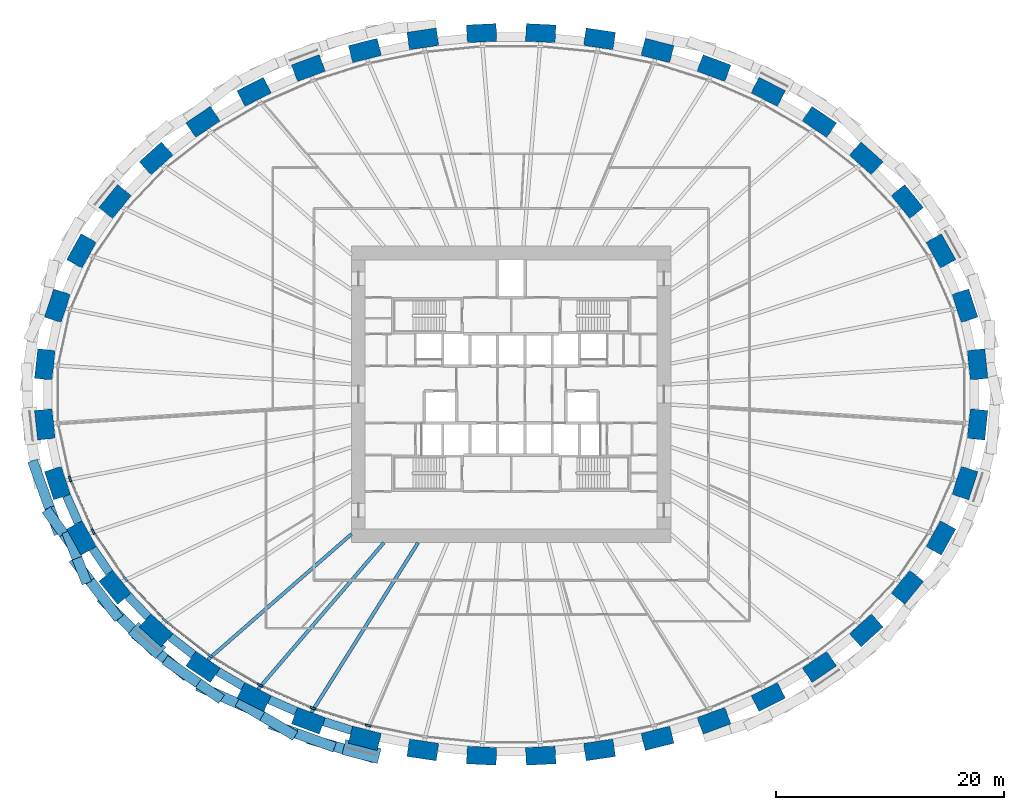
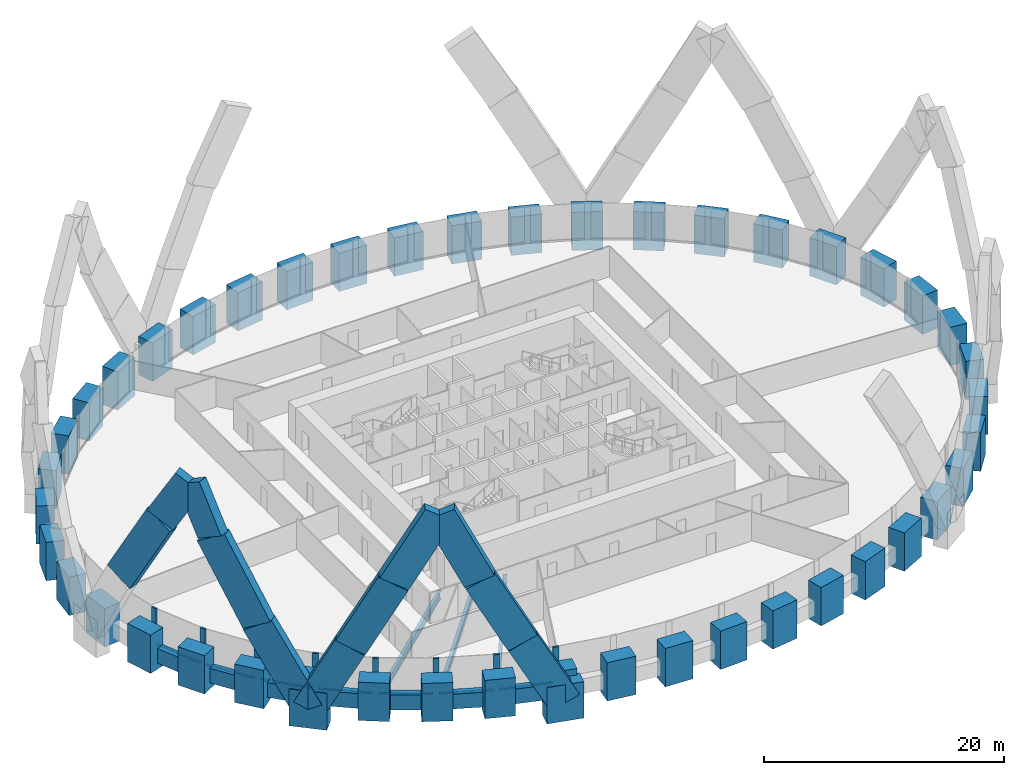
# One storey, part 1 of 12: 44 columns, 28 members, 10 beams, 1 element without a shape of its own.
"""IFC4 building model written with IfcOpenShell, lengths in metres."""

from ifc_helpers import new_model, si_unit, direction, frame, origin, origin_2d, place, context, subcontext, project, spatial, rectangle, i_section, extrude, source, transform, mapped, material, material_profile, profile_set, type_object, element, aggregate, save


model = new_model("IFC4")

# Units and contexts
model_context = context("Model", 3, precision=1e-05, world=origin(), true_north=direction((0.0, 1.0)))
body_context = subcontext(model_context, "Body", "Model", "MODEL_VIEW")
ifc_project = project(units=[si_unit("LENGTHUNIT", "METRE"), si_unit("AREAUNIT", "SQUARE_METRE"), si_unit("VOLUMEUNIT", "CUBIC_METRE"), si_unit("PLANEANGLEUNIT", "RADIAN"), si_unit("MASSUNIT", "GRAM", prefix="KILO")], contexts=[model_context])

# Site, building, storey
site_placement = place(None, origin())
site = spatial("IfcSite", under=ifc_project, at=site_placement, CompositionType="ELEMENT")
building_placement = place(site_placement, origin())
building = spatial("IfcBuilding", under=site, at=building_placement, Name="Embergate Tower", CompositionType="ELEMENT")
storey_placement = place(building_placement, frame((0.0, 0.0, 85.39990234375)))
storey = spatial("IfcBuildingStorey", under=building, at=storey_placement, Name="L17", CompositionType="ELEMENT", Elevation=85.39990234375)

# Columns
ifc_material_1 = material(Name="Concrete C70", Category="concrete")
ifc_material_profile_1 = material_profile(ifc_material_1, rectangle(XDim=1.550048828125, YDim=2.60009765625, at=origin_2d()), Name="RC 1550x2600")
ifc_profile_set_1 = profile_set([ifc_material_profile_1], Name="Concrete C70")
column_type = type_object("IfcColumnType", Name="Ring column RC 1550x2600 C70", PredefinedType="COLUMN", material=ifc_profile_set_1)
shared_shape_1 = source(origin(), body_context, "Body", "SweptSolid", [
    extrude(rectangle(XDim=1.550048828125, YDim=2.60009765625, at=origin_2d()), origin(), (0.0, 0.0, 1.0), 3.89990234375),
])
for number, where, z_axis, x_axis, name in (
    (1, (40.89404296875, 2.632080078125, -1.39990234375), (0.0, 0.0, 1.0), (0.99428589498, 0.106749983816, 0.0), "COL-L17-00"),
    (2, (39.7880859375, 7.77294921875, -1.39990234375), (0.0, 0.0, 1.0), (0.950754033697, 0.309946394413, 0.0), "COL-L17-01"),
    (3, (37.679931640625, 12.580078125, -1.39990234375), (0.0, 0.0, 1.0), (0.873491969053, 0.486838556403, 0.0), "COL-L17-02"),
    (4, (34.736083984375, 16.909912109375, -1.39990234375), (0.0, 0.0, 1.0), (0.775914301615, 0.630838328377, 0.0), "COL-L17-03"),
    (5, (31.132080078125, 20.68896484375, -1.39990234375), (0.0, 0.0, 1.0), (0.669208424634, 0.74307475021, 0.0), "COL-L17-04"),
    (6, (27.02392578125, 23.89501953125, -1.39990234375), (0.0, 0.0, 1.0), (0.560393279442, 0.828226643109, 0.0), "COL-L17-05"),
    (7, (22.541015625, 26.531005859375, -1.39990234375), (0.0, 0.0, 1.0), (0.452994952881, 0.891513080478, 0.0), "COL-L17-06"),
    (8, (17.782958984375, 28.612060546875, -1.39990234375), (0.0, 0.0, 1.0), (0.348343015724, 0.93736713373, 0.0), "COL-L17-07"),
    (9, (12.830078125, 30.154052734375, -1.39990234375), (0.0, 0.0, 1.0), (0.246491603437, 0.969144926951, 0.0), "COL-L17-08"),
    (10, (7.7470703125, 31.174072265625, -1.39990234375), (0.0, 0.0, 1.0), (0.146929011949, 0.989147039346, 0.0), "COL-L17-09"),
    (11, (2.591064453125, 31.680908203125, -1.39990234375), (0.0, 0.0, 1.0), (0.048814904854, 0.998807841912, 0.0), "COL-L17-10"),
    (12, (-2.591064453125, 31.680908203125, -1.39990234375), (0.0, 0.0, 1.0), (-0.048814904854, 0.998807841912, 0.0), "COL-L17-11"),
    (13, (-7.7470703125, 31.174072265625, -1.39990234375), (0.0, 0.0, 1.0), (-0.146929011949, 0.989147039346, 0.0), "COL-L17-12"),
    (14, (-12.830078125, 30.154052734375, -1.39990234375), (0.0, 0.0, 1.0), (-0.246491603437, 0.969144926951, 0.0), "COL-L17-13"),
    (15, (-17.782958984375, 28.612060546875, -1.39990234375), (0.0, 0.0, 1.0), (-0.348343015724, 0.93736713373, 0.0), "COL-L17-14"),
    (16, (-22.541015625, 26.531005859375, -1.39990234375), (0.0, 0.0, 1.0), (-0.452994952881, 0.891513080478, 0.0), "COL-L17-15"),
    (17, (-27.02392578125, 23.89501953125, -1.39990234375), (0.0, 0.0, 1.0), (-0.560393279442, 0.828226643109, 0.0), "COL-L17-16"),
    (18, (-31.132080078125, 20.68896484375, -1.39990234375), (0.0, 0.0, 1.0), (-0.669208424634, 0.74307475021, 0.0), "COL-L17-17"),
    (19, (-34.736083984375, 16.909912109375, -1.39990234375), (0.0, 0.0, 1.0), (-0.775914301615, 0.630838328377, 0.0), "COL-L17-18"),
    (20, (-37.679931640625, 12.580078125, -1.39990234375), (0.0, 0.0, 1.0), (-0.873491969053, 0.486838556403, 0.0), "COL-L17-19"),
    (21, (-39.7880859375, 7.77294921875, -1.39990234375), (0.0, 0.0, 1.0), (-0.950754033697, 0.309946394413, 0.0), "COL-L17-20"),
    (22, (-40.89404296875, 2.632080078125, -1.39990234375), (0.0, 0.0, 1.0), (-0.99428589498, 0.106749983816, 0.0), "COL-L17-21"),
    (23, (-40.89404296875, -2.632080078125, -1.39990234375), (0.0, 0.0, 1.0), (-0.99428589498, -0.106749983816, 0.0), "COL-L17-22"),
    (24, (-39.7880859375, -7.77294921875, -1.39990234375), (0.0, 0.0, 1.0), (-0.950754033697, -0.309946394413, 0.0), "COL-L17-23"),
    (25, (-37.679931640625, -12.580078125, -1.39990234375), (0.0, 0.0, 1.0), (-0.873491969053, -0.486838556403, 0.0), "COL-L17-24"),
    (26, (-34.736083984375, -16.909912109375, -1.39990234375), (0.0, 0.0, 1.0), (-0.775914301615, -0.630838328377, 0.0), "COL-L17-25"),
    (27, (-31.132080078125, -20.68896484375, -1.39990234375), (0.0, 0.0, 1.0), (-0.669208424634, -0.74307475021, 0.0), "COL-L17-26"),
    (28, (-27.02392578125, -23.89501953125, -1.39990234375), (0.0, 0.0, 1.0), (-0.560393279442, -0.828226643109, 0.0), "COL-L17-27"),
    (29, (-22.541015625, -26.531005859375, -1.39990234375), (0.0, 0.0, 1.0), (-0.452994952881, -0.891513080478, 0.0), "COL-L17-28"),
    (30, (-17.782958984375, -28.612060546875, -1.39990234375), (0.0, 0.0, 1.0), (-0.348343015724, -0.93736713373, 0.0), "COL-L17-29"),
    (31, (-12.830078125, -30.154052734375, -1.39990234375), (0.0, 0.0, 1.0), (-0.246491603437, -0.969144926951, 0.0), "COL-L17-30"),
    (32, (-7.7470703125, -31.174072265625, -1.39990234375), (0.0, 0.0, 1.0), (-0.146929011949, -0.989147039346, 0.0), "COL-L17-31"),
    (33, (-2.591064453125, -31.680908203125, -1.39990234375), (0.0, 0.0, 1.0), (-0.048814904854, -0.998807841912, 0.0), "COL-L17-32"),
    (34, (2.591064453125, -31.680908203125, -1.39990234375), (0.0, 0.0, 1.0), (0.048814904854, -0.998807841912, 0.0), "COL-L17-33"),
    (35, (7.7470703125, -31.174072265625, -1.39990234375), (0.0, 0.0, 1.0), (0.146929011949, -0.989147039346, 0.0), "COL-L17-34"),
    (36, (12.830078125, -30.154052734375, -1.39990234375), (0.0, 0.0, 1.0), (0.246491603437, -0.969144926951, 0.0), "COL-L17-35"),
    (37, (17.782958984375, -28.612060546875, -1.39990234375), (0.0, 0.0, 1.0), (0.348343015724, -0.93736713373, 0.0), "COL-L17-36"),
    (38, (22.541015625, -26.531005859375, -1.39990234375), (0.0, 0.0, 1.0), (0.452994952881, -0.891513080478, 0.0), "COL-L17-37"),
    (39, (27.02392578125, -23.89501953125, -1.39990234375), (0.0, 0.0, 1.0), (0.560393279442, -0.828226643109, 0.0), "COL-L17-38"),
    (40, (31.132080078125, -20.68896484375, -1.39990234375), (0.0, 0.0, 1.0), (0.669208424634, -0.74307475021, 0.0), "COL-L17-39"),
    (41, (34.736083984375, -16.909912109375, -1.39990234375), (0.0, 0.0, 1.0), (0.775914301615, -0.630838328377, 0.0), "COL-L17-40"),
    (42, (37.679931640625, -12.580078125, -1.39990234375), (0.0, 0.0, 1.0), (0.873491969053, -0.486838556403, 0.0), "COL-L17-41"),
    (43, (39.7880859375, -7.77294921875, -1.39990234375), (0.0, 0.0, 1.0), (0.950754033697, -0.309946394413, 0.0), "COL-L17-42"),
    (44, (40.89404296875, -2.632080078125, -1.39990234375), (0.0, 0.0, 1.0), (0.99428589498, -0.106749983816, 0.0), "COL-L17-43"),
):
    element("IfcColumn", number, at=place(storey_placement, frame(where, z_axis=z_axis, x_axis=x_axis)), inside=storey, type_object=column_type, Name=name, PredefinedType="COLUMN", context=body_context, shape_type="MappedRepresentation", body=[
        mapped(shared_shape_1, transform((0.0, 0.0, 0.0))),
    ])

# Beams
ifc_material_profile_2 = material_profile(ifc_material_1, rectangle(XDim=0.75, YDim=1.5, at=origin_2d()), Name="RC 750x1500")
ifc_profile_set_2 = profile_set([ifc_material_profile_2], Name="Concrete C70")
beam_type_1 = type_object("IfcBeamType", Name="Spandrel beam RC 750x1500 C70", PredefinedType="BEAM", material=ifc_profile_set_2)
shared_shape_2 = source(origin(), body_context, "Body", "SweptSolid", [
    extrude(rectangle(XDim=0.75, YDim=1.5, at=origin_2d()), origin(), (0.0, 0.0, 1.0), 2.583251953125),
])
beam_1_placement = place(storey_placement, frame((-38.9990234375, -8.883056640625, 0.0), z_axis=(0.401468201792, -0.915872962233, 0.0), x_axis=(0.915872962233, 0.401468201792, 0.0)))
element("IfcBeam", 45, at=beam_1_placement, inside=storey, type_object=beam_type_1, Name="SPN-L17-23", PredefinedType="BEAM", context=body_context, shape_type="MappedRepresentation", body=[
    mapped(shared_shape_2, transform((0.0, 0.0, 0.0))),
])
shared_shape_3 = source(origin(), body_context, "Body", "SweptSolid", [
    extrude(rectangle(XDim=0.75, YDim=1.5, at=origin_2d()), origin(), (0.0, 0.0, 1.0), 2.574951171875),
])
beam_2_placement = place(storey_placement, frame((-36.68603515625, -13.513916015625, 0.0), z_axis=(0.562356702599, -0.826894756932, 0.0), x_axis=(0.826894756932, 0.562356702599, 0.0)))
element("IfcBeam", 46, at=beam_2_placement, inside=storey, type_object=beam_type_1, Name="SPN-L17-24", PredefinedType="BEAM", context=body_context, shape_type="MappedRepresentation", body=[
    mapped(shared_shape_3, transform((0.0, 0.0, 0.0))),
])
shared_shape_4 = source(origin(), body_context, "Body", "SweptSolid", [
    extrude(rectangle(XDim=0.75, YDim=1.5, at=origin_2d()), origin(), (0.0, 0.0, 1.0), 2.568115234375),
])
beam_3_placement = place(storey_placement, frame((-33.60400390625, -17.6650390625, 0.0), z_axis=(0.68998268655, -0.723825871506, 0.0), x_axis=(0.723825871506, 0.68998268655, 0.0)))
element("IfcBeam", 47, at=beam_3_placement, inside=storey, type_object=beam_type_1, Name="SPN-L17-25", PredefinedType="BEAM", context=body_context, shape_type="MappedRepresentation", body=[
    mapped(shared_shape_4, transform((0.0, 0.0, 0.0))),
])
shared_shape_5 = source(origin(), body_context, "Body", "SweptSolid", [
    extrude(rectangle(XDim=0.75, YDim=1.5, at=origin_2d()), origin(), (0.0, 0.0, 1.0), 2.560791015625),
])
beam_4_placement = place(storey_placement, frame((-29.89111328125, -21.25390625, 0.0), z_axis=(0.788437573921, -0.615114779557, 0.0), x_axis=(0.615114779557, 0.788437573921, 0.0)))
element("IfcBeam", 48, at=beam_4_placement, inside=storey, type_object=beam_type_1, Name="SPN-L17-26", PredefinedType="BEAM", context=body_context, shape_type="MappedRepresentation", body=[
    mapped(shared_shape_5, transform((0.0, 0.0, 0.0))),
])
shared_shape_6 = source(origin(), body_context, "Body", "SweptSolid", [
    extrude(rectangle(XDim=0.75, YDim=1.5, at=origin_2d()), origin(), (0.0, 0.0, 1.0), 2.55517578125),
])
beam_5_placement = place(storey_placement, frame((-25.721923828125, -24.291015625, 0.0), z_axis=(0.862086455961, -0.506761228241, 0.0), x_axis=(0.506761228241, 0.862086455961, 0.0)))
element("IfcBeam", 49, at=beam_5_placement, inside=storey, type_object=beam_type_1, Name="SPN-L17-27", PredefinedType="BEAM", context=body_context, shape_type="MappedRepresentation", body=[
    mapped(shared_shape_6, transform((0.0, 0.0, 0.0))),
])
shared_shape_7 = source(origin(), body_context, "Body", "SweptSolid", [
    extrude(rectangle(XDim=0.75, YDim=1.5, at=origin_2d()), origin(), (0.0, 0.0, 1.0), 2.552001953125),
])
beam_6_placement = place(storey_placement, frame((-21.202880859375, -26.76806640625, 0.0), z_axis=(0.916139768309, -0.400858983836, 0.0), x_axis=(0.400858983836, 0.916139768309, 0.0)))
element("IfcBeam", 50, at=beam_6_placement, inside=storey, type_object=beam_type_1, Name="SPN-L17-28", PredefinedType="BEAM", context=body_context, shape_type="MappedRepresentation", body=[
    mapped(shared_shape_7, transform((0.0, 0.0, 0.0))),
])
shared_shape_8 = source(origin(), body_context, "Body", "SweptSolid", [
    extrude(rectangle(XDim=0.75, YDim=1.5, at=origin_2d()), origin(), (0.0, 0.0, 1.0), 2.55029296875),
])
beam_7_placement = place(storey_placement, frame((-16.428955078125, -28.699951171875, 0.0), z_axis=(0.954803055826, -0.297239170678, 0.0), x_axis=(0.297239170678, 0.954803055826, 0.0)))
element("IfcBeam", 51, at=beam_7_placement, inside=storey, type_object=beam_type_1, Name="SPN-L17-29", PredefinedType="BEAM", context=body_context, shape_type="MappedRepresentation", body=[
    mapped(shared_shape_8, transform((0.0, 0.0, 0.0))),
])
ifc_material_2 = material(Name="Steel Q355B", Category="steel")
ifc_material_profile_3 = material_profile(ifc_material_2, i_section(OverallWidth=0.300048828125, OverallDepth=0.800048828125, WebThickness=0.013916015625, FlangeThickness=0.02587890625, FilletRadius=0.028076171875, at=origin_2d()), Name="HN 800x300x14x26")
ifc_profile_set_3 = profile_set([ifc_material_profile_3], Name="Steel Q355 grade B")
beam_type_2 = type_object("IfcBeamType", Name="Radial girder HN 800x300x14x26", PredefinedType="BEAM", material=ifc_profile_set_3)
shared_shape_9 = source(origin(), body_context, "Body", "SweptSolid", [
    extrude(i_section(OverallWidth=0.300048828125, OverallDepth=0.800048828125, WebThickness=0.013916015625, FlangeThickness=0.02587890625, FilletRadius=0.028076171875, at=origin_2d()), origin(), (0.0, 0.0, 1.0), 16.72509765625),
])
beam_8_placement = place(storey_placement, frame((-26.590087890625, -23.2529296875, -0.599853515625), z_axis=(0.752763844536, 0.658290660999, 0.0), x_axis=(-0.658290660999, 0.752763844536, 0.0)))
element("IfcBeam", 52, at=beam_8_placement, inside=storey, type_object=beam_type_2, Name="GIR-L17-27", PredefinedType="BEAM", context=body_context, shape_type="MappedRepresentation", body=[
    mapped(shared_shape_9, transform((0.0, 0.0, 0.0))),
])
shared_shape_10 = source(origin(), body_context, "Body", "SweptSolid", [
    extrude(i_section(OverallWidth=0.300048828125, OverallDepth=0.800048828125, WebThickness=0.013916015625, FlangeThickness=0.02587890625, FilletRadius=0.028076171875, at=origin_2d()), origin(), (0.0, 0.0, 1.0), 16.924560546875),
])
beam_9_placement = place(storey_placement, frame((-22.18994140625, -25.840087890625, -0.599853515625), z_axis=(0.651475377488, 0.758669778314, 0.0), x_axis=(-0.758669778314, 0.651475377488, 0.0)))
element("IfcBeam", 53, at=beam_9_placement, inside=storey, type_object=beam_type_2, Name="GIR-L17-28", PredefinedType="BEAM", context=body_context, shape_type="MappedRepresentation", body=[
    mapped(shared_shape_10, transform((0.0, 0.0, 0.0))),
])
shared_shape_11 = source(origin(), body_context, "Body", "SweptSolid", [
    extrude(i_section(OverallWidth=0.300048828125, OverallDepth=0.800048828125, WebThickness=0.013916015625, FlangeThickness=0.02587890625, FilletRadius=0.028076171875, at=origin_2d()), origin(), (0.0, 0.0, 1.0), 17.578125),
])
beam_10_placement = place(storey_placement, frame((-17.512939453125, -27.885986328125, -0.599853515625), z_axis=(0.53184411478, 0.846842274319, 0.0), x_axis=(-0.846842274319, 0.53184411478, 0.0)))
element("IfcBeam", 54, at=beam_10_placement, inside=storey, type_object=beam_type_2, Name="GIR-L17-29", PredefinedType="BEAM", context=body_context, shape_type="MappedRepresentation", body=[
    mapped(shared_shape_11, transform((0.0, 0.0, 0.0))),
])

# Members
ifc_material_profile_4 = material_profile(ifc_material_1, rectangle(XDim=1.35009765625, YDim=3.199951171875, at=origin_2d()), Name="RC 1350x3200")
ifc_profile_set_4 = profile_set([ifc_material_profile_4], Name="Concrete C70")
member_type_1 = type_object("IfcMemberType", Name="Lattice node block RC 1350x3200", PredefinedType="POST", material=ifc_profile_set_4)
shared_shape_12 = source(origin(), body_context, "Body", "SweptSolid", [
    extrude(rectangle(XDim=1.35009765625, YDim=3.199951171875, at=origin_2d()), origin(), (0.0, 0.0, 1.0), 3.699951171875),
])
member_1_placement = place(storey_placement, frame((-13.1259765625, -31.31689453125, -1.849853515625), z_axis=(0.0, 0.0, 1.0), x_axis=(-0.246491603437, -0.969144926951, 0.0)))
element("IfcMember", 55, at=member_1_placement, inside=storey, type_object=member_type_1, Name="NOD-L17-30", PredefinedType="POST", context=body_context, shape_type="MappedRepresentation", body=[
    mapped(shared_shape_12, transform((0.0, 0.0, 0.0))),
])
ifc_material_profile_5 = material_profile(ifc_material_1, rectangle(XDim=1.35009765625, YDim=3.25, at=origin_2d()), Name="RC 1350x3250")
ifc_profile_set_5 = profile_set([ifc_material_profile_5], Name="Concrete C70")
member_type_2 = type_object("IfcMemberType", Name="Lattice node block RC 1350x3250", PredefinedType="POST", material=ifc_profile_set_5)
shared_shape_13 = source(origin(), body_context, "Body", "SweptSolid", [
    extrude(rectangle(XDim=1.35009765625, YDim=3.25, at=origin_2d()), origin(), (0.0, 0.0, 1.0), 3.75),
])
member_2_placement = place(storey_placement, frame((-31.93505859375, -21.5810546875, -1.875), z_axis=(0.0, 0.0, 1.0), x_axis=(-0.669208424634, -0.74307475021, 0.0)))
element("IfcMember", 56, at=member_2_placement, inside=storey, type_object=member_type_2, Name="NOD-L17-26", PredefinedType="POST", context=body_context, shape_type="MappedRepresentation", body=[
    mapped(shared_shape_13, transform((0.0, 0.0, 0.0))),
])
ifc_material_profile_6 = material_profile(ifc_material_1, rectangle(XDim=0.89990234375, YDim=2.800048828125, at=origin_2d()), Name="RC 900x2800")
ifc_profile_set_6 = profile_set([ifc_material_profile_6], Name="Concrete C70")
member_type_3 = type_object("IfcMemberType", Name="Lattice diagonal terracotta-faced RC 900x2800", PredefinedType="BRACE", material=ifc_profile_set_6)
shared_shape_14 = source(origin(), body_context, "Body", "SweptSolid", [
    extrude(rectangle(XDim=0.89990234375, YDim=2.800048828125, at=origin_2d()), origin(), (0.0, 0.0, 1.0), 7.6015625),
])
member_3_placement = place(storey_placement, frame((-29.35791015625, -23.98388671875, 6.7001953125), z_axis=(0.388076715985, -0.269305906111, 0.881402740774), x_axis=(0.570121823423, 0.82156016606, 0.0)))
element("IfcMember", 57, at=member_3_placement, inside=storey, type_object=member_type_3, Name="BRC-L17-26-28-S01", PredefinedType="BRACE", context=body_context, shape_type="MappedRepresentation", body=[
    mapped(shared_shape_14, transform((0.0, 0.0, 0.0))),
])
shared_shape_15 = source(origin(), body_context, "Body", "SweptSolid", [
    extrude(rectangle(XDim=0.89990234375, YDim=2.800048828125, at=origin_2d()), origin(), (0.0, 0.0, 1.0), 8.943115234375),
])
member_4_placement = place(storey_placement, frame((-41.556884765625, -6.969970703125, 7.800048828125), z_axis=(0.166361733124, -0.460019948289, 0.872184281519), x_axis=(0.940394833947, 0.340084631065, 0.0)))
element("IfcMember", 58, at=member_4_placement, inside=storey, type_object=member_type_3, Name="BRC-L17-22-24-S01", PredefinedType="BRACE", context=body_context, shape_type="MappedRepresentation", body=[
    mapped(shared_shape_15, transform((0.0, 0.0, 0.0))),
])
shared_shape_16 = source(origin(), body_context, "Body", "SweptSolid", [
    extrude(rectangle(XDim=0.89990234375, YDim=2.800048828125, at=origin_2d()), origin(), (0.0, 0.0, 1.0), 5.209716796875),
])
member_5_placement = place(storey_placement, frame((-40.069091796875, -11.083984375, 15.60009765625), z_axis=(0.295800761014, -0.407897627355, 0.86378321087), x_axis=(0.809539719599, 0.587065109158, 0.0)))
element("IfcMember", 59, at=member_5_placement, inside=storey, type_object=member_type_3, Name="BRC-L17-22-24-S02", PredefinedType="BRACE", context=body_context, shape_type="MappedRepresentation", body=[
    mapped(shared_shape_16, transform((0.0, 0.0, 0.0))),
])
shared_shape_17 = source(origin(), body_context, "Body", "SweptSolid", [
    extrude(rectangle(XDim=0.89990234375, YDim=2.800048828125, at=origin_2d()), origin(), (0.0, 0.0, 1.0), 8.923583984375),
])
member_6_placement = place(storey_placement, frame((-32.0849609375, -21.748046875, 0.0), z_axis=(-0.34371228725, 0.343247182667, 0.874095667067), x_axis=(-0.706627873948, -0.707585364292, 0.0)))
element("IfcMember", 60, at=member_6_placement, inside=storey, type_object=member_type_3, Name="BRC-L17-26-24-S00", PredefinedType="BRACE", context=body_context, shape_type="MappedRepresentation", body=[
    mapped(shared_shape_17, transform((0.0, 0.0, 0.0))),
])
shared_shape_18 = source(origin(), body_context, "Body", "SweptSolid", [
    extrude(rectangle(XDim=0.89990234375, YDim=2.800048828125, at=origin_2d()), origin(), (0.0, 0.0, 1.0), 8.832763671875),
])
member_7_placement = place(storey_placement, frame((-35.152099609375, -18.68505859375, 7.800048828125), z_axis=(-0.284942107654, 0.372810083232, 0.883074536563), x_axis=(-0.794509957743, -0.607251123545, 0.0)))
element("IfcMember", 61, at=member_7_placement, inside=storey, type_object=member_type_3, Name="BRC-L17-26-24-S01", PredefinedType="BRACE", context=body_context, shape_type="MappedRepresentation", body=[
    mapped(shared_shape_18, transform((0.0, 0.0, 0.0))),
])
shared_shape_19 = source(origin(), body_context, "Body", "SweptSolid", [
    extrude(rectangle(XDim=0.89990234375, YDim=2.800048828125, at=origin_2d()), origin(), (0.0, 0.0, 1.0), 5.074951171875),
])
member_8_placement = place(storey_placement, frame((-37.6689453125, -15.39208984375, 15.60009765625), z_axis=(-0.16929202768, 0.4301816742, 0.886726528613), x_axis=(-0.930536306155, -0.366199649, 0.0)))
element("IfcMember", 62, at=member_8_placement, inside=storey, type_object=member_type_3, Name="BRC-L17-26-24-S02", PredefinedType="BRACE", context=body_context, shape_type="MappedRepresentation", body=[
    mapped(shared_shape_19, transform((0.0, 0.0, 0.0))),
])
shared_shape_20 = source(origin(), body_context, "Body", "SweptSolid", [
    extrude(rectangle(XDim=0.89990234375, YDim=2.800048828125, at=origin_2d()), origin(), (0.0, 0.0, 1.0), 7.571533203125),
])
member_9_placement = place(storey_placement, frame((-32.0849609375, -21.748046875, 0.0), z_axis=(0.360170636428, -0.295294779625, 0.884917005025), x_axis=(0.634021631372, 0.773315311469, 0.0)))
element("IfcMember", 63, at=member_9_placement, inside=storey, type_object=member_type_3, Name="BRC-L17-26-28-S00", PredefinedType="BRACE", context=body_context, shape_type="MappedRepresentation", body=[
    mapped(shared_shape_20, transform((0.0, 0.0, 0.0))),
])
shared_shape_21 = source(origin(), body_context, "Body", "SweptSolid", [
    extrude(rectangle(XDim=0.89990234375, YDim=2.800048828125, at=origin_2d()), origin(), (0.0, 0.0, 1.0), 7.71728515625),
])
member_10_placement = place(storey_placement, frame((-26.407958984375, -26.031005859375, 13.400146484375), z_axis=(0.454291825627, -0.199685933382, 0.868184580131), x_axis=(0.402396757385, 0.915465373264, 0.0)))
element("IfcMember", 64, at=member_10_placement, inside=storey, type_object=member_type_3, Name="BRC-L17-26-28-S02", PredefinedType="BRACE", context=body_context, shape_type="MappedRepresentation", body=[
    mapped(shared_shape_21, transform((0.0, 0.0, 0.0))),
])
shared_shape_22 = source(origin(), body_context, "Body", "SweptSolid", [
    extrude(rectangle(XDim=0.89990234375, YDim=2.800048828125, at=origin_2d()), origin(), (0.0, 0.0, 1.0), 7.61181640625),
])
member_11_placement = place(storey_placement, frame((-13.180908203125, -31.534912109375, 0.0), z_axis=(-0.455476447931, 0.133201442733, 0.880226437364), x_axis=(-0.280687690711, -0.959799156221, 0.0)))
element("IfcMember", 65, at=member_11_placement, inside=storey, type_object=member_type_3, Name="BRC-L17-30-28-S00", PredefinedType="BRACE", context=body_context, shape_type="MappedRepresentation", body=[
    mapped(shared_shape_22, transform((0.0, 0.0, 0.0))),
])
shared_shape_23 = source(origin(), body_context, "Body", "SweptSolid", [
    extrude(rectangle(XDim=0.89990234375, YDim=2.800048828125, at=origin_2d()), origin(), (0.0, 0.0, 1.0), 7.59521484375),
])
member_12_placement = place(storey_placement, frame((-16.64794921875, -30.52099609375, 6.7001953125), z_axis=(-0.442782119241, 0.160623030842, 0.882124841983), x_axis=(-0.341014196409, -0.940058145993, 0.0)))
element("IfcMember", 66, at=member_12_placement, inside=storey, type_object=member_type_3, Name="BRC-L17-30-28-S01", PredefinedType="BRACE", context=body_context, shape_type="MappedRepresentation", body=[
    mapped(shared_shape_23, transform((0.0, 0.0, 0.0))),
])
shared_shape_24 = source(origin(), body_context, "Body", "SweptSolid", [
    extrude(rectangle(XDim=0.89990234375, YDim=2.800048828125, at=origin_2d()), origin(), (0.0, 0.0, 1.0), 7.499267578125),
])
member_13_placement = place(storey_placement, frame((-20.010986328125, -29.301025390625, 13.400146484375), z_axis=(-0.385525170668, 0.230559809042, 0.893427398973), x_axis=(-0.513258904232, -0.858233824331, 0.0)))
element("IfcMember", 67, at=member_13_placement, inside=storey, type_object=member_type_3, Name="BRC-L17-30-28-S02", PredefinedType="BRACE", context=body_context, shape_type="MappedRepresentation", body=[
    mapped(shared_shape_24, transform((0.0, 0.0, 0.0))),
])

# Curtain wall, members
ifc_material_3 = material(Name="Aluminium and glass", Category="aluminium")
curtain_wall_type = type_object("IfcCurtainWallType", Name="Recessed office glazing", PredefinedType="NOTDEFINED", material=ifc_material_3)
curtain_wall_placement = place(storey_placement, origin())
curtain_wall = element("IfcCurtainWall", 68, at=curtain_wall_placement, inside=storey, type_object=curtain_wall_type, Name="Recessed office glazing ring", ObjectType="RECESSED OFFICE GLAZING", PredefinedType="USERDEFINED")
ifc_material_4 = material(Name="Aluminium, thermally broken", Category="aluminium")
ifc_material_profile_7 = material_profile(ifc_material_4, rectangle(XDim=0.179931640625, YDim=0.52001953125, at=origin_2d()), Name="AL 520x180")
ifc_profile_set_7 = profile_set([ifc_material_profile_7], Name="Aluminium, thermally broken")
member_type_4 = type_object("IfcMemberType", Name="Office mullion", PredefinedType="MULLION", material=ifc_profile_set_7)
shared_shape_25 = source(origin(), body_context, "Body", "SweptSolid", [
    extrude(rectangle(XDim=0.179931640625, YDim=0.52001953125, at=origin_2d()), origin(), (0.0, 0.0, 1.0), 3.7001953125),
])
member_14_placement = place(storey_placement, frame((-38.68017578125, -7.412109375, 0.0), z_axis=(0.0, 0.0, 1.0), x_axis=(0.95149940886, 0.307650572791, 0.0)))
member_14 = element("IfcMember", 69, at=member_14_placement, type_object=member_type_4, Name="CW mullion 24", PredefinedType="MULLION", context=body_context, shape_type="MappedRepresentation", body=[
    mapped(shared_shape_25, transform((0.0, 0.0, 0.0))),
])
member_15_placement = place(storey_placement, frame((-36.662109375, -12.012939453125, 0.0), z_axis=(0.0, 0.0, 1.0), x_axis=(0.875005275602, 0.484113383071, 0.0)))
member_15 = element("IfcMember", 70, at=member_15_placement, type_object=member_type_4, Name="CW mullion 25", PredefinedType="MULLION", context=body_context, shape_type="MappedRepresentation", body=[
    mapped(shared_shape_25, transform((0.0, 0.0, 0.0))),
])
member_16_placement = place(storey_placement, frame((-33.831787109375, -16.1748046875, 0.0), z_axis=(0.0, 0.0, 1.0), x_axis=(0.777875854755, 0.628417977615, 0.0)))
member_16 = element("IfcMember", 71, at=member_16_placement, type_object=member_type_4, Name="CW mullion 26", PredefinedType="MULLION", context=body_context, shape_type="MappedRepresentation", body=[
    mapped(shared_shape_25, transform((0.0, 0.0, 0.0))),
])
member_17_placement = place(storey_placement, frame((-30.352294921875, -19.823486328125, 0.0), z_axis=(0.0, 0.0, 1.0), x_axis=(0.671229121411, 0.741249935292, 0.0)))
member_17 = element("IfcMember", 72, at=member_17_placement, type_object=member_type_4, Name="CW mullion 27", PredefinedType="MULLION", context=body_context, shape_type="MappedRepresentation", body=[
    mapped(shared_shape_25, transform((0.0, 0.0, 0.0))),
])
member_18_placement = place(storey_placement, frame((-26.37158203125, -22.930419921875, 0.0), z_axis=(0.0, 0.0, 1.0), x_axis=(0.562217618544, 0.826989328467, 0.0)))
member_18 = element("IfcMember", 73, at=member_18_placement, type_object=member_type_4, Name="CW mullion 28", PredefinedType="MULLION", context=body_context, shape_type="MappedRepresentation", body=[
    mapped(shared_shape_25, transform((0.0, 0.0, 0.0))),
])
member_19_placement = place(storey_placement, frame((-22.013427734375, -25.49267578125, 0.0), z_axis=(0.0, 0.0, 1.0), x_axis=(0.454511380526, 0.890740930334, 0.0)))
member_19 = element("IfcMember", 74, at=member_19_placement, type_object=member_type_4, Name="CW mullion 29", PredefinedType="MULLION", context=body_context, shape_type="MappedRepresentation", body=[
    mapped(shared_shape_25, transform((0.0, 0.0, 0.0))),
])
member_20_placement = place(storey_placement, frame((-17.377197265625, -27.519775390625, 0.0), z_axis=(0.0, 0.0, 1.0), x_axis=(0.349502682851, 0.936935363128, 0.0)))
member_20 = element("IfcMember", 75, at=member_20_placement, type_object=member_type_4, Name="CW mullion 30", PredefinedType="MULLION", context=body_context, shape_type="MappedRepresentation", body=[
    mapped(shared_shape_25, transform((0.0, 0.0, 0.0))),
])
member_21_placement = place(storey_placement, frame((-12.54296875, -29.025390625, 0.0), z_axis=(0.0, 0.0, 1.0), x_axis=(0.24731188137, 0.968935928394, 0.0)))
member_21 = element("IfcMember", 76, at=member_21_placement, type_object=member_type_4, Name="CW mullion 31", PredefinedType="MULLION", context=body_context, shape_type="MappedRepresentation", body=[
    mapped(shared_shape_25, transform((0.0, 0.0, 0.0))),
])
ifc_material_profile_8 = material_profile(ifc_material_4, rectangle(XDim=0.179931640625, YDim=0.14990234375, at=origin_2d()), Name="AL 150x180")
ifc_profile_set_8 = profile_set([ifc_material_profile_8], Name="Aluminium, thermally broken")
member_type_5 = type_object("IfcMemberType", Name="Office sill transom", PredefinedType="USERDEFINED", material=ifc_profile_set_8)
shared_shape_26 = source(origin(), body_context, "Body", "SweptSolid", [
    extrude(rectangle(XDim=0.179931640625, YDim=0.14990234375, at=origin_2d()), origin(), (0.0, 0.0, 1.0), 4.529296875),
])
member_22_placement = place(storey_placement, frame((-30.147216796875, -19.983642578125, 0.0751953125), z_axis=(0.788306218653, -0.615283110148, 0.0), x_axis=(0.615283110148, 0.788306218653, 0.0)))
member_22 = element("IfcMember", 77, at=member_22_placement, type_object=member_type_5, Name="CW transom 27.1", ObjectType="TRANSOM", PredefinedType="USERDEFINED", context=body_context, shape_type="MappedRepresentation", body=[
    mapped(shared_shape_26, transform((0.0, 0.0, 0.0))),
])
shared_shape_27 = source(origin(), body_context, "Body", "SweptSolid", [
    extrude(rectangle(XDim=0.179931640625, YDim=0.14990234375, at=origin_2d()), origin(), (0.0, 0.0, 1.0), 4.504150390625),
])
member_23_placement = place(storey_placement, frame((-38.57568359375, -7.650146484375, 0.0751953125), z_axis=(0.401657507377, -0.915789957778, 0.0), x_axis=(0.915789957778, 0.401657507377, 0.0)))
member_23 = element("IfcMember", 78, at=member_23_placement, type_object=member_type_5, Name="CW transom 24.1", ObjectType="TRANSOM", PredefinedType="USERDEFINED", context=body_context, shape_type="MappedRepresentation", body=[
    mapped(shared_shape_27, transform((0.0, 0.0, 0.0))),
])
shared_shape_28 = source(origin(), body_context, "Body", "SweptSolid", [
    extrude(rectangle(XDim=0.179931640625, YDim=0.14990234375, at=origin_2d()), origin(), (0.0, 0.0, 1.0), 4.51318359375),
])
member_24_placement = place(storey_placement, frame((-36.515869140625, -12.22802734375, 0.0751953125), z_axis=(0.562329256749, -0.82691342171, 0.0), x_axis=(0.82691342171, 0.562329256749, 0.0)))
member_24 = element("IfcMember", 79, at=member_24_placement, type_object=member_type_5, Name="CW transom 25.1", ObjectType="TRANSOM", PredefinedType="USERDEFINED", context=body_context, shape_type="MappedRepresentation", body=[
    mapped(shared_shape_28, transform((0.0, 0.0, 0.0))),
])
shared_shape_29 = source(origin(), body_context, "Body", "SweptSolid", [
    extrude(rectangle(XDim=0.179931640625, YDim=0.14990234375, at=origin_2d()), origin(), (0.0, 0.0, 1.0), 4.52197265625),
])
member_25_placement = place(storey_placement, frame((-33.65234375, -16.363037109375, 0.0751953125), z_axis=(0.690144384651, -0.723671699277, 0.0), x_axis=(0.723671699277, 0.690144384651, 0.0)))
member_25 = element("IfcMember", 80, at=member_25_placement, type_object=member_type_5, Name="CW transom 26.1", ObjectType="TRANSOM", PredefinedType="USERDEFINED", context=body_context, shape_type="MappedRepresentation", body=[
    mapped(shared_shape_29, transform((0.0, 0.0, 0.0))),
])
shared_shape_30 = source(origin(), body_context, "Body", "SweptSolid", [
    extrude(rectangle(XDim=0.179931640625, YDim=0.14990234375, at=origin_2d()), origin(), (0.0, 0.0, 1.0), 4.535400390625),
])
member_26_placement = place(storey_placement, frame((-26.1474609375, -23.06201171875, 0.0751953125), z_axis=(0.862028298447, -0.506860151004, 0.0), x_axis=(0.506860151004, 0.862028298447, 0.0)))
member_26 = element("IfcMember", 81, at=member_26_placement, type_object=member_type_5, Name="CW transom 28.1", ObjectType="TRANSOM", PredefinedType="USERDEFINED", context=body_context, shape_type="MappedRepresentation", body=[
    mapped(shared_shape_30, transform((0.0, 0.0, 0.0))),
])
shared_shape_31 = source(origin(), body_context, "Body", "SweptSolid", [
    extrude(rectangle(XDim=0.179931640625, YDim=0.14990234375, at=origin_2d()), origin(), (0.0, 0.0, 1.0), 4.540283203125),
])
member_27_placement = place(storey_placement, frame((-21.775390625, -25.5966796875, 0.0751953125), z_axis=(0.91622766565, -0.400658039601, 0.0), x_axis=(0.400658039601, 0.91622766565, 0.0)))
member_27 = element("IfcMember", 82, at=member_27_placement, type_object=member_type_5, Name="CW transom 29.1", ObjectType="TRANSOM", PredefinedType="USERDEFINED", context=body_context, shape_type="MappedRepresentation", body=[
    mapped(shared_shape_31, transform((0.0, 0.0, 0.0))),
])
shared_shape_32 = source(origin(), body_context, "Body", "SweptSolid", [
    extrude(rectangle(XDim=0.179931640625, YDim=0.14990234375, at=origin_2d()), origin(), (0.0, 0.0, 1.0), 4.54345703125),
])
member_28_placement = place(storey_placement, frame((-17.129150390625, -27.59716796875, 0.0751953125), z_axis=(0.954777820435, -0.297320220648, 0.0), x_axis=(0.297320220648, 0.954777820435, 0.0)))
member_28 = element("IfcMember", 83, at=member_28_placement, type_object=member_type_5, Name="CW transom 30.1", ObjectType="TRANSOM", PredefinedType="USERDEFINED", context=body_context, shape_type="MappedRepresentation", body=[
    mapped(shared_shape_32, transform((0.0, 0.0, 0.0))),
])
aggregate(curtain_wall, [member_14, member_15, member_16, member_17, member_18, member_19, member_20, member_21, member_23, member_24, member_25, member_22, member_26, member_27, member_28])

save(model, "model.ifc")
